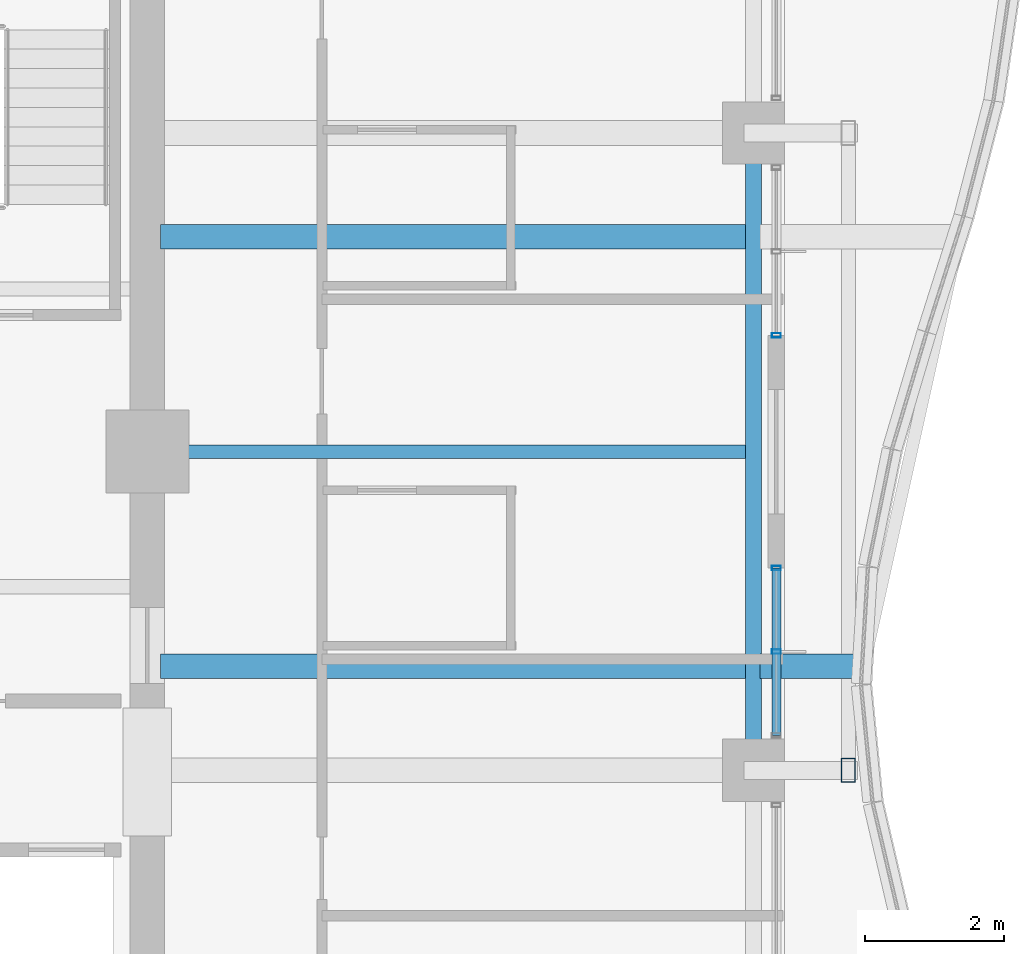
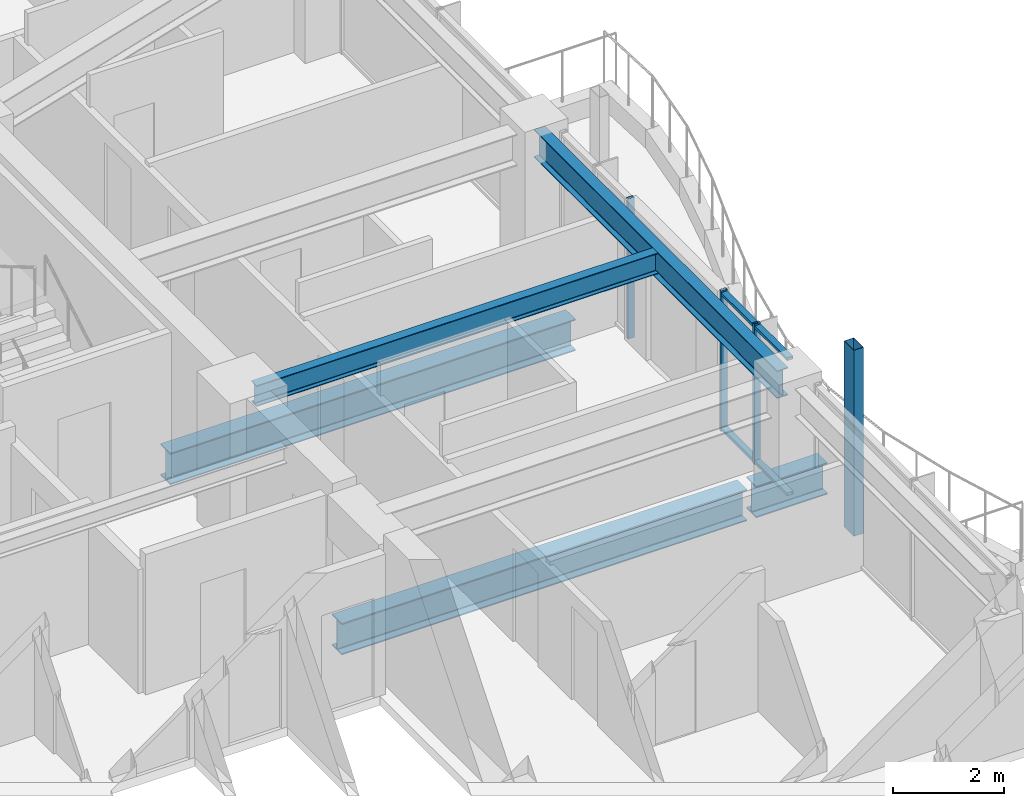
# One storey, part 16 of 37: 6 members, 5 beams, 2 elements without a shape of their own.
"""IFC4 building model written with IfcOpenShell, lengths in metres."""

from ifc_helpers import new_model, si_unit, direction, frame, origin, origin_2d, place, context, subcontext, project, spatial, hollow_rectangle, i_section, extrude, material, material_profile, profile_set, type_object, element, aggregate, save


model = new_model("IFC4")

# Units and contexts
model_context = context("Model", 3, precision=1e-05, world=origin(), true_north=direction((0.0, 1.0)))
body_context = subcontext(model_context, "Body", "Model", "MODEL_VIEW")
ifc_project = project(units=[si_unit("LENGTHUNIT", "METRE"), si_unit("AREAUNIT", "SQUARE_METRE"), si_unit("VOLUMEUNIT", "CUBIC_METRE"), si_unit("PLANEANGLEUNIT", "RADIAN"), si_unit("MASSUNIT", "GRAM", prefix="KILO")], contexts=[model_context])

# Site, building, storey
site_placement = place(None, origin())
site = spatial("IfcSite", under=ifc_project, at=site_placement, CompositionType="ELEMENT")
building_placement = place(site_placement, origin())
building = spatial("IfcBuilding", under=site, at=building_placement, Name="Kolvaren Belvedere", CompositionType="ELEMENT")
storey_placement = place(building_placement, frame((0.0, 0.0, 156.89990234375)))
storey = spatial("IfcBuildingStorey", under=building, at=storey_placement, Name="L45", CompositionType="ELEMENT", Elevation=156.89990234375)

# Beams
ifc_material_1 = material(Name="Structural steel ASTM A992 Grade 50", Category="steel")
ifc_material_profile_1 = material_profile(ifc_material_1, i_section(OverallWidth=0.35498046875, OverallDepth=0.696044921875, WebThickness=0.015380859375, FlangeThickness=0.02490234375, FilletRadius=0.02197265625, at=origin_2d()), Name="W27X146")
ifc_profile_set_1 = profile_set([ifc_material_profile_1], Name="Structural steel ASTM A992 Grade 50")
beam_type_1 = type_object("IfcBeamType", Name="BM-CANT-BAL", PredefinedType="BEAM", material=ifc_profile_set_1)
beam_1_placement = place(storey_placement, frame((18.7451171875, -3.10009765625, -0.5478515625), z_axis=(1.0, 0.0, 0.0), x_axis=(0.0, 1.0, 0.0)))
element("IfcBeam", 1, at=beam_1_placement, inside=storey, type_object=beam_type_1, Name="L45 Planted Balcony Cantilever BAL-E-1", PredefinedType="BEAM", context=body_context, shape_type="SweptSolid", body=[
    extrude(i_section(OverallWidth=0.35498046875, OverallDepth=0.696044921875, WebThickness=0.015380859375, FlangeThickness=0.02490234375, FilletRadius=0.02197265625, at=origin_2d()), origin(), (0.0, 0.0, 1.0), 1.49267578125),
])
ifc_material_2 = material(Name="Structural steel ASTM A992 Grade 50", Category="steel")
ifc_material_profile_2 = material_profile(ifc_material_2, i_section(OverallWidth=0.35498046875, OverallDepth=0.696044921875, WebThickness=0.015380859375, FlangeThickness=0.02490234375, FilletRadius=0.02197265625, at=origin_2d()), Name="W27X146")
ifc_profile_set_2 = profile_set([ifc_material_profile_2], Name="Structural steel ASTM A992 Grade 50")
beam_type_2 = type_object("IfcBeamType", Name="BM-GIRD-W27X146", PredefinedType="BEAM", material=ifc_profile_set_2)
for number, where, z_axis, x_axis, name in (
    (2, (10.090087890625, -3.10009765625, -0.5478515625), (1.0, 0.0, 0.0), (0.0, 1.0, 0.0), "L45 Balcony Interior Back-Span Girder BAL-E-1"),
    (3, (10.090087890625, 3.10009765625, -0.5478515625), (1.0, 0.0, 0.0), (0.0, 1.0, 0.0), "L45 Balcony Interior Back-Span Girder BAL-E-2"),
):
    element("IfcBeam", number, at=place(storey_placement, frame(where, z_axis=z_axis, x_axis=x_axis)), inside=storey, type_object=beam_type_2, Name=name, PredefinedType="BEAM", context=body_context, shape_type="SweptSolid", body=[
        extrude(i_section(OverallWidth=0.35498046875, OverallDepth=0.696044921875, WebThickness=0.015380859375, FlangeThickness=0.02490234375, FilletRadius=0.02197265625, at=origin_2d()), origin(), (0.0, 0.0, 1.0), 8.46484375),
    ])
ifc_material_3 = material(Name="Structural steel ASTM A992 Grade 50", Category="steel")
ifc_material_profile_3 = material_profile(ifc_material_3, i_section(OverallWidth=0.19091796875, OverallDepth=0.4599609375, WebThickness=0.010009765625, FlangeThickness=0.01611328125, FilletRadius=0.014892578125, at=origin_2d()), Name="W18X55")
ifc_profile_set_3 = profile_set([ifc_material_profile_3], Name="Structural steel ASTM A992 Grade 50")
beam_type_3 = type_object("IfcBeamType", Name="BM-JOIST-W18X55", PredefinedType="BEAM", material=ifc_profile_set_3)
beam_2_placement = place(storey_placement, frame((10.14990234375, 0.0, 2.8701171875), z_axis=(1.0, 0.0, 0.0), x_axis=(0.0, 1.0, 0.0)))
element("IfcBeam", 4, at=beam_2_placement, inside=storey, type_object=beam_type_3, Name="L45 East Centre Floor Beam", PredefinedType="BEAM", context=body_context, shape_type="SweptSolid", body=[
    extrude(i_section(OverallWidth=0.19091796875, OverallDepth=0.4599609375, WebThickness=0.010009765625, FlangeThickness=0.01611328125, FilletRadius=0.014892578125, at=origin_2d()), origin(), (0.0, 0.0, 1.0), 8.385498046875),
])
ifc_material_4 = material(Name="Structural steel ASTM A992 Grade 50", Category="steel")
ifc_material_profile_4 = material_profile(ifc_material_4, i_section(OverallWidth=0.22900390625, OverallDepth=0.612060546875, WebThickness=0.011962890625, FlangeThickness=0.01953125, FilletRadius=0.01806640625, at=origin_2d()), Name="W24X84")
ifc_profile_set_4 = profile_set([ifc_material_profile_4], Name="Structural steel ASTM A992 Grade 50")
beam_type_4 = type_object("IfcBeamType", Name="BM-SPAN-W24X84", PredefinedType="SPANDREL", material=ifc_profile_set_4)
beam_3_placement = place(storey_placement, frame((18.64990234375, -4.3974609375, 2.794189453125), z_axis=(0.0, 1.0, 0.0), x_axis=(-1.0, 0.0, 0.0)))
element("IfcBeam", 5, at=beam_3_placement, inside=storey, type_object=beam_type_4, Name="L45 Perimeter Spandrel E2-E3", PredefinedType="SPANDREL", context=body_context, shape_type="SweptSolid", body=[
    extrude(i_section(OverallWidth=0.22900390625, OverallDepth=0.612060546875, WebThickness=0.011962890625, FlangeThickness=0.01953125, FilletRadius=0.01806640625, at=origin_2d()), origin(), (0.0, 0.0, 1.0), 8.794921875),
])

# Curtain wall, member
ifc_material_5 = material(Name="Anodised pale-metal aluminium AA 6063-T6", Category="aluminium")
curtain_wall_type = type_object("IfcCurtainWallType", Name="CW-Z3-WAIST", PredefinedType="NOTDEFINED", material=ifc_material_5)
curtain_wall_1_placement = place(storey_placement, origin())
curtain_wall_1 = element("IfcCurtainWall", 6, at=curtain_wall_1_placement, inside=storey, type_object=curtain_wall_type, Name="L45 Unitised Curtain Wall FCW-L45-E1-B2", PredefinedType="NOTDEFINED")
ifc_material_6 = material(Name="Anodised pale-metal aluminium AA 6063-T6", Category="aluminium")
ifc_material_profile_5 = material_profile(ifc_material_6, hollow_rectangle(XDim=0.06494140625, YDim=0.1298828125, WallThickness=0.00390625, at=origin_2d()), Name="ALU-MUL-130X65")
ifc_profile_set_5 = profile_set([ifc_material_profile_5], Name="Anodised pale-metal aluminium AA 6063-T6")
member_type_1 = type_object("IfcMemberType", Name="CW-MUL-130", PredefinedType="MULLION", material=ifc_profile_set_5)
member_1_placement = place(storey_placement, frame((18.97998046875, 1.679931640625, 0.0), z_axis=(0.0, 0.0, 1.0), x_axis=(0.0, 1.0, 0.0)))
member_1 = element("IfcMember", 7, at=member_1_placement, type_object=member_type_1, Name="FCW-L45-E1-B2 Unitised Mullion 3", PredefinedType="MULLION", context=body_context, shape_type="SweptSolid", body=[
    extrude(hollow_rectangle(XDim=0.06494140625, YDim=0.1298828125, WallThickness=0.00390625, at=origin_2d()), origin(), (0.0, 0.0, 1.0), 3.10009765625),
])
aggregate(curtain_wall_1, [member_1])

# Curtain wall, members
curtain_wall_2_placement = place(storey_placement, origin())
curtain_wall_2 = element("IfcCurtainWall", 8, at=curtain_wall_2_placement, inside=storey, type_object=curtain_wall_type, Name="L45 Unitised Curtain Wall FCW-L45-E2-B1", PredefinedType="NOTDEFINED")
member_2_placement = place(storey_placement, frame((18.97998046875, -1.679931640625, 0.0), z_axis=(0.0, 0.0, 1.0), x_axis=(0.0, 1.0, 0.0)))
member_2 = element("IfcMember", 9, at=member_2_placement, type_object=member_type_1, Name="FCW-L45-E2-B1 Unitised Mullion 1", PredefinedType="MULLION", context=body_context, shape_type="SweptSolid", body=[
    extrude(hollow_rectangle(XDim=0.06494140625, YDim=0.1298828125, WallThickness=0.00390625, at=origin_2d()), origin(), (0.0, 0.0, 1.0), 3.10009765625),
])
member_3_placement = place(storey_placement, frame((18.97998046875, -2.888671875, 0.0), z_axis=(0.0, 0.0, 1.0), x_axis=(0.0, 1.0, 0.0)))
member_3 = element("IfcMember", 10, at=member_3_placement, type_object=member_type_1, Name="FCW-L45-E2-B1 Unitised Mullion 2", PredefinedType="MULLION", context=body_context, shape_type="SweptSolid", body=[
    extrude(hollow_rectangle(XDim=0.06494140625, YDim=0.1298828125, WallThickness=0.00390625, at=origin_2d()), origin(), (0.0, 0.0, 1.0), 3.10009765625),
])
ifc_material_7 = material(Name="Anodised pale-metal aluminium AA 6063-T6", Category="aluminium")
ifc_material_profile_6 = material_profile(ifc_material_7, hollow_rectangle(XDim=0.06005859375, YDim=0.1298828125, WallThickness=0.00390625, at=origin_2d()), Name="ALU-TRN-130X60")
ifc_profile_set_6 = profile_set([ifc_material_profile_6], Name="Anodised pale-metal aluminium AA 6063-T6")
member_type_2 = type_object("IfcMemberType", Name="CW-TRN-130", PredefinedType="USERDEFINED", material=ifc_profile_set_6)
member_4_placement = place(storey_placement, frame((18.97998046875, -1.679931640625, 0.06005859375), z_axis=(0.0, -1.0, 0.0), x_axis=(0.0, 0.0, 1.0)))
member_4 = element("IfcMember", 11, at=member_4_placement, type_object=member_type_2, Name="FCW-L45-E2-B1 Sill Transom", ObjectType="TRANSOM", PredefinedType="USERDEFINED", context=body_context, shape_type="SweptSolid", body=[
    extrude(hollow_rectangle(XDim=0.06005859375, YDim=0.1298828125, WallThickness=0.00390625, at=origin_2d()), origin(), (0.0, 0.0, 1.0), 2.41748046875),
])
member_5_placement = place(storey_placement, frame((18.97998046875, -1.679931640625, 3.0400390625), z_axis=(0.0, -1.0, 0.0), x_axis=(0.0, 0.0, 1.0)))
member_5 = element("IfcMember", 12, at=member_5_placement, type_object=member_type_2, Name="FCW-L45-E2-B1 Head Transom", ObjectType="TRANSOM", PredefinedType="USERDEFINED", context=body_context, shape_type="SweptSolid", body=[
    extrude(hollow_rectangle(XDim=0.06005859375, YDim=0.1298828125, WallThickness=0.00390625, at=origin_2d()), origin(), (0.0, 0.0, 1.0), 2.41748046875),
])
aggregate(curtain_wall_2, [member_2, member_3, member_4, member_5])

# Member
ifc_material_8 = material(Name="Anodised pale-metal aluminium AA 6063-T6", Category="aluminium")
ifc_material_profile_7 = material_profile(ifc_material_8, hollow_rectangle(XDim=0.199951171875, YDim=0.35009765625, WallThickness=0.007568359375, at=origin_2d()), Name="ALU-PF-350X200")
ifc_profile_set_7 = profile_set([ifc_material_profile_7], Name="Anodised pale-metal aluminium AA 6063-T6")
member_type_3 = type_object("IfcMemberType", Name="PF-FRAME-350", PredefinedType="USERDEFINED", material=ifc_profile_set_7)
member_6_placement = place(storey_placement, frame((20.02001953125, -4.60009765625, -0.809814453125), z_axis=(0.0, 0.0, 1.0), x_axis=(1.0, 0.0, 0.0)))
element("IfcMember", 13, at=member_6_placement, inside=storey, type_object=member_type_3, Name="L45 Outboard Picture-Frame Vertical E2", ObjectType="PICTURE FRAME FIN", PredefinedType="USERDEFINED", context=body_context, shape_type="SweptSolid", body=[
    extrude(hollow_rectangle(XDim=0.199951171875, YDim=0.35009765625, WallThickness=0.007568359375, at=origin_2d()), origin(), (0.0, 0.0, 1.0), 4.10986328125),
])

save(model, "model.ifc")
